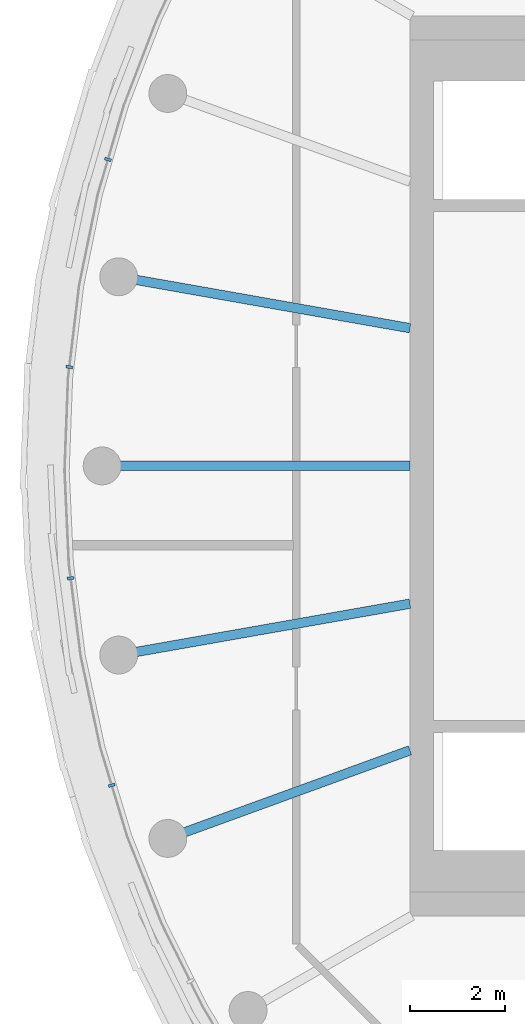
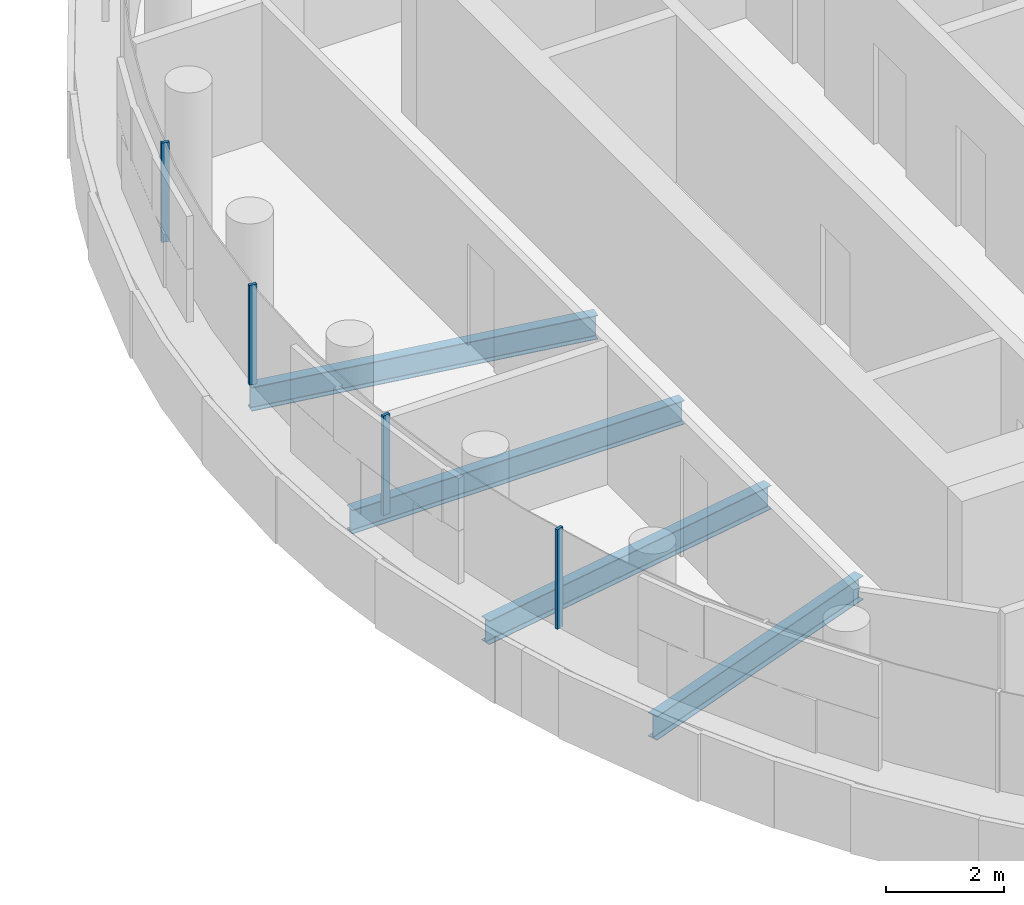
# One storey, part 4 of 21: 4 beams, 4 members, 1 element without a shape of its own.
"""IFC4 building model written with IfcOpenShell, lengths in metres."""

from ifc_helpers import new_model, si_unit, direction, frame, origin, origin_2d, place, context, subcontext, project, spatial, rectangle, i_section, extrude, material, layer, layer_set, material_profile, profile_set, type_object, element, aggregate, save


model = new_model("IFC4")

# Units and contexts
model_context = context("Model", 3, precision=1e-05, world=origin(), true_north=direction((0.0, 1.0)))
body_context = subcontext(model_context, "Body", "Model", "MODEL_VIEW")
ifc_project = project(units=[si_unit("LENGTHUNIT", "METRE"), si_unit("AREAUNIT", "SQUARE_METRE"), si_unit("VOLUMEUNIT", "CUBIC_METRE"), si_unit("PLANEANGLEUNIT", "RADIAN"), si_unit("MASSUNIT", "GRAM", prefix="KILO")], contexts=[model_context])

# Site, building, storey
site_placement = place(None, origin())
site = spatial("IfcSite", under=ifc_project, at=site_placement, CompositionType="ELEMENT")
building_placement = place(site_placement, origin())
building = spatial("IfcBuilding", under=site, at=building_placement, Name="Tamarind Cross Interchange Tower", CompositionType="ELEMENT")
storey_placement = place(building_placement, frame((0.0, 0.0, 260.39990234375)))
storey = spatial("IfcBuildingStorey", under=building, at=storey_placement, Name="L66", CompositionType="ELEMENT", Elevation=260.39990234375)

# Beams
ifc_material_1 = material(Name="Steel Q355B", Category="steel")
ifc_material_profile_1 = material_profile(ifc_material_1, i_section(OverallWidth=0.198974609375, OverallDepth=0.49609375, WebThickness=0.009033203125, FlangeThickness=0.013916015625, FilletRadius=0.012939453125, at=origin_2d()), Name="HN 496x199x9x14")
ifc_profile_set_1 = profile_set([ifc_material_profile_1], Name="Steel Q355B")
beam_type = type_object("IfcBeamType", Name="Composite beam HN 496x199x9x14 Q355B", PredefinedType="BEAM", material=ifc_profile_set_1)
beam_1_placement = place(storey_placement, frame((-22.650634765625, 3.993896484375, -0.387939453125), z_axis=(0.984809127561, -0.173640382036, 0.0), x_axis=(0.173640382036, 0.984809127561, 0.0)))
element("IfcBeam", 1, at=beam_1_placement, inside=storey, type_object=beam_type, Name="Beam HH17", PredefinedType="BEAM", context=body_context, shape_type="SweptSolid", body=[
    extrude(i_section(OverallWidth=0.198974609375, OverallDepth=0.49609375, WebThickness=0.009033203125, FlangeThickness=0.013916015625, FilletRadius=0.012939453125, at=origin_2d()), origin(), (0.0, 0.0, 1.0), 6.24560546875),
])
beam_2_placement = place(storey_placement, frame((-23.0, 0.0, -0.387939453125), z_axis=(1.0, 0.0, 0.0), x_axis=(0.0, 1.0, 0.0)))
element("IfcBeam", 2, at=beam_2_placement, inside=storey, type_object=beam_type, Name="Beam HH18", PredefinedType="BEAM", context=body_context, shape_type="SweptSolid", body=[
    extrude(i_section(OverallWidth=0.198974609375, OverallDepth=0.49609375, WebThickness=0.009033203125, FlangeThickness=0.013916015625, FilletRadius=0.012939453125, at=origin_2d()), origin(), (0.0, 0.0, 1.0), 6.5),
])
beam_3_placement = place(storey_placement, frame((-22.650634765625, -3.993896484375, -0.387939453125), z_axis=(0.984809127561, 0.173640382036, 0.0), x_axis=(-0.173640382036, 0.984809127561, 0.0)))
element("IfcBeam", 3, at=beam_3_placement, inside=storey, type_object=beam_type, Name="Beam HH19", PredefinedType="BEAM", context=body_context, shape_type="SweptSolid", body=[
    extrude(i_section(OverallWidth=0.198974609375, OverallDepth=0.49609375, WebThickness=0.009033203125, FlangeThickness=0.013916015625, FilletRadius=0.012939453125, at=origin_2d()), origin(), (0.0, 0.0, 1.0), 6.24560546875),
])
beam_4_placement = place(storey_placement, frame((-21.613037109375, -7.866455078125, -0.387939453125), z_axis=(0.939701685589, 0.341995236956, 0.0), x_axis=(-0.341995236956, 0.939701685589, 0.0)))
element("IfcBeam", 4, at=beam_4_placement, inside=storey, type_object=beam_type, Name="Beam HH20", PredefinedType="BEAM", context=body_context, shape_type="SweptSolid", body=[
    extrude(i_section(OverallWidth=0.198974609375, OverallDepth=0.49609375, WebThickness=0.009033203125, FlangeThickness=0.013916015625, FilletRadius=0.012939453125, at=origin_2d()), origin(), (0.0, 0.0, 1.0), 5.441162109375),
])

# Curtain wall, members
ifc_material_2 = material(Name="Aluminium 6063-T6", Category="aluminium")
ifc_layer = layer(ifc_material_2, 0.139892578125)
ifc_layer_set = layer_set([ifc_layer], Name="Aluminium 6063-T6")
curtain_wall_type = type_object("IfcCurtainWallType", Name="Hotel curtain wall, 4.5 m bays", PredefinedType="NOTDEFINED", material=ifc_layer_set)
curtain_wall_placement = place(storey_placement, origin())
curtain_wall = element("IfcCurtainWall", 5, at=curtain_wall_placement, inside=storey, type_object=curtain_wall_type, Name="CWS-L66-01", PredefinedType="NOTDEFINED")
ifc_material_profile_2 = material_profile(ifc_material_2, rectangle(XDim=0.06005859375, YDim=0.139892578125, at=origin_2d()), Name="Mullion CW2")
ifc_profile_set_2 = profile_set([ifc_material_profile_2], Name="Aluminium 6063-T6")
member_type = type_object("IfcMemberType", Name="Mullion CW2", PredefinedType="MULLION", material=ifc_profile_set_2)
member_1_placement = place(storey_placement, frame((-22.87841796875, 6.472900390625, 1.400146484375), z_axis=(0.0, 0.0, 1.0), x_axis=(-0.281208920763, -0.95964657186, 0.0)))
member_1 = element("IfcMember", 6, at=member_1_placement, type_object=member_type, Name="CWM-L66-01-04", PredefinedType="MULLION", context=body_context, shape_type="SweptSolid", body=[
    extrude(rectangle(XDim=0.06005859375, YDim=0.139892578125, at=origin_2d()), origin(), (0.0, 0.0, 1.0), 2.06005859375),
])
member_2_placement = place(storey_placement, frame((-23.695556640625, 2.089111328125, 1.400146484375), z_axis=(0.0, 0.0, 1.0), x_axis=(-0.119420963295, -0.992843710523, 0.0)))
member_2 = element("IfcMember", 7, at=member_2_placement, type_object=member_type, Name="CWM-L66-01-05", PredefinedType="MULLION", context=body_context, shape_type="SweptSolid", body=[
    extrude(rectangle(XDim=0.06005859375, YDim=0.139892578125, at=origin_2d()), origin(), (0.0, 0.0, 1.0), 2.06005859375),
])
member_3_placement = place(storey_placement, frame((-23.666748046875, -2.3701171875, 1.400146484375), z_axis=(0.0, 0.0, 1.0), x_axis=(0.127962008342, -0.991779070368, 0.0)))
member_3 = element("IfcMember", 8, at=member_3_placement, type_object=member_type, Name="CWM-L66-01-06", PredefinedType="MULLION", context=body_context, shape_type="SweptSolid", body=[
    extrude(rectangle(XDim=0.06005859375, YDim=0.139892578125, at=origin_2d()), origin(), (0.0, 0.0, 1.0), 2.06005859375),
])
member_4_placement = place(storey_placement, frame((-22.79931640625, -6.743896484375, 1.400146484375), z_axis=(0.0, 0.0, 1.0), x_axis=(0.289458243079, -0.957190642199, 0.0)))
member_4 = element("IfcMember", 9, at=member_4_placement, type_object=member_type, Name="CWM-L66-01-07", PredefinedType="MULLION", context=body_context, shape_type="SweptSolid", body=[
    extrude(rectangle(XDim=0.06005859375, YDim=0.139892578125, at=origin_2d()), origin(), (0.0, 0.0, 1.0), 2.06005859375),
])
aggregate(curtain_wall, [member_1, member_2, member_3, member_4])

save(model, "model.ifc")
